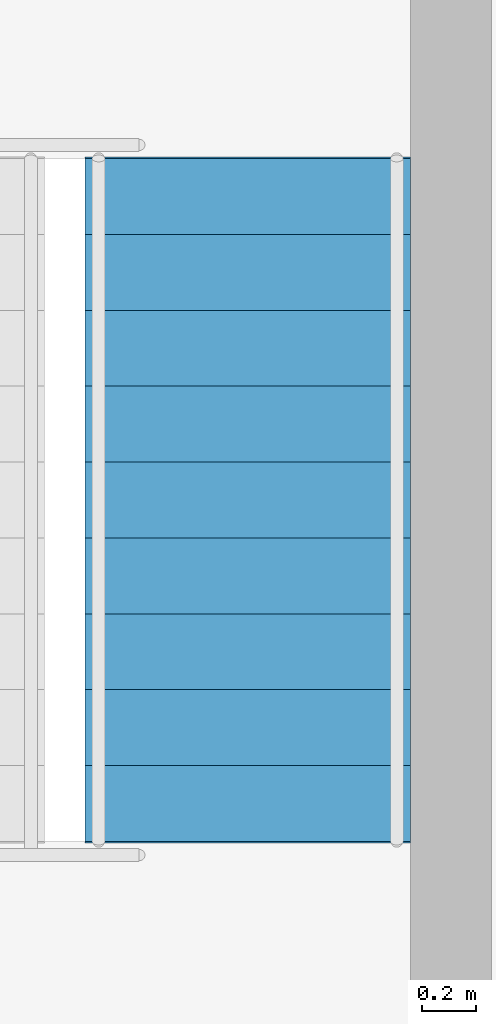
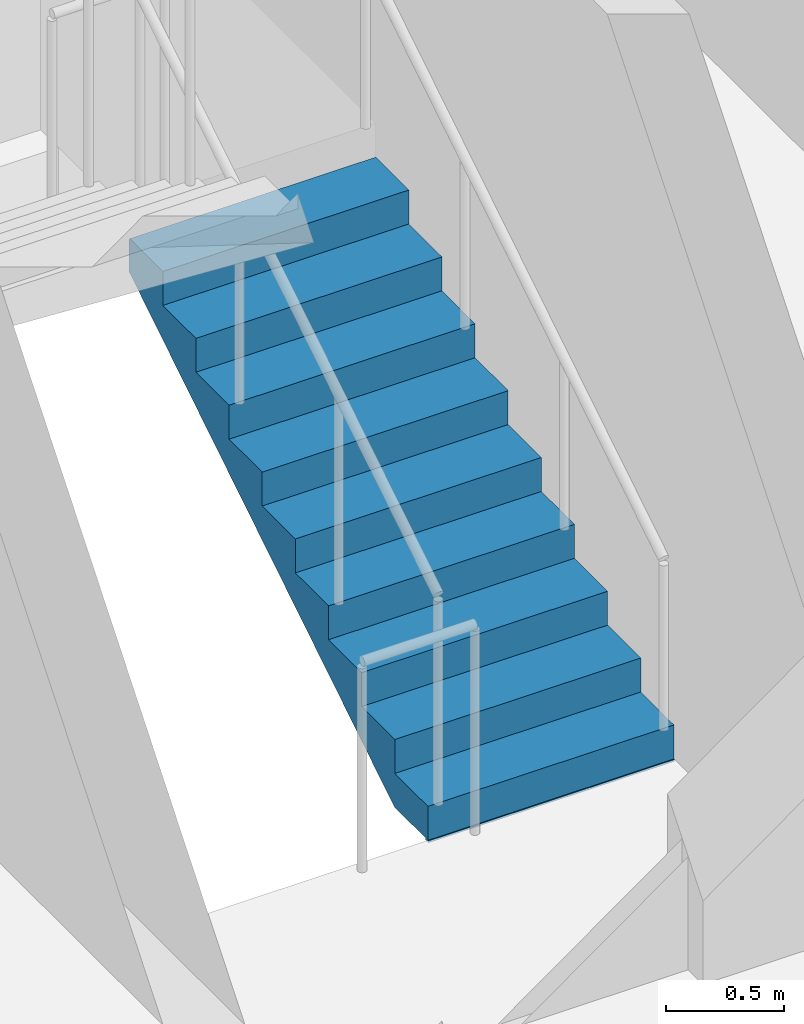
# One storey, part 14 of 17: 1 stair flight, 1 element without a shape of its own.
"""IFC4 building model written with IfcOpenShell, lengths in metres."""

from ifc_helpers import new_model, si_unit, direction, frame, origin, place, context, subcontext, project, spatial, polyline, outline, extrude, material, type_object, element, aggregate, save


model = new_model("IFC4")

# Units and contexts
model_context = context("Model", 3, precision=1e-05, world=origin(), true_north=direction((0.0, 1.0)))
body_context = subcontext(model_context, "Body", "Model", "MODEL_VIEW")
ifc_project = project(units=[si_unit("LENGTHUNIT", "METRE"), si_unit("AREAUNIT", "SQUARE_METRE"), si_unit("VOLUMEUNIT", "CUBIC_METRE"), si_unit("PLANEANGLEUNIT", "RADIAN"), si_unit("MASSUNIT", "GRAM", prefix="KILO")], contexts=[model_context])

# Site, building, storey
site_placement = place(None, origin())
site = spatial("IfcSite", under=ifc_project, at=site_placement, CompositionType="ELEMENT")
building_placement = place(site_placement, origin())
building = spatial("IfcBuilding", under=site, at=building_placement, Name="Plateau Cross Towers", CompositionType="ELEMENT")
storey_placement = place(building_placement, frame((0.0, 0.0, 222.39990234375)))
storey = spatial("IfcBuildingStorey", under=building, at=storey_placement, Name="L58", CompositionType="ELEMENT", Elevation=222.39990234375)

# Stair, stair flight
ifc_material = material(Name="Concrete C40/50", Category="concrete")
stair_type = type_object("IfcStairType", Name="ST-TWR", PredefinedType="HALF_TURN_STAIR", material=ifc_material)
stair_placement = place(storey_placement, origin())
stair = element("IfcStair", 1, at=stair_placement, inside=storey, type_object=stair_type, Name="L58 Protected Exit Stair N", PredefinedType="HALF_TURN_STAIR")
stair_flight_type = type_object("IfcStairFlightType", Name="SFL-RC", PredefinedType="STRAIGHT", material=ifc_material)
stair_flight_placement = place(storey_placement, frame((9.675048828125, 46.5, 0.0), z_axis=(0.0, 0.0, 1.0), x_axis=(0.0, 1.0, 0.0)))
stair_flight = element("IfcStairFlight", 2, at=stair_flight_placement, type_object=stair_flight_type, Name="ES-N flight 1", NumberOfRisers=10, NumberOfTreads=9, PredefinedType="STRAIGHT", RiserHeight=0.175, TreadLength=0.28, context=body_context, shape_type="SweptSolid", body=[
    extrude(outline(polyline([(-0.0048828125, -0.010009765625), (-0.0048828125, 0.0), (0.0, 0.0), (0.0, 0.175048828125), (0.280029296875, 0.175048828125), (0.280029296875, 0.35009765625), (0.56005859375, 0.35009765625), (0.56005859375, 0.52490234375), (0.840087890625, 0.52490234375), (0.840087890625, 0.699951171875), (1.1201171875, 0.699951171875), (1.1201171875, 0.875), (1.39990234375, 0.875), (1.39990234375, 1.050048828125), (1.679931640625, 1.050048828125), (1.679931640625, 1.22509765625), (1.9599609375, 1.22509765625), (1.9599609375, 1.39990234375), (2.239990234375, 1.39990234375), (2.239990234375, 1.574951171875), (2.52001953125, 1.574951171875), (2.52490234375, 1.56494140625), (2.52490234375, 1.398193359375), (2.52001953125, 1.398193359375), (0.28271484375, 0.0), (0.02001953125, 0.0), (0.02001953125, -0.010009765625), (-0.0048828125, -0.010009765625)])), frame((0.0, 0.60009765625, 0.0), z_axis=(0.0, -1.0, 0.0), x_axis=(1.0, 0.0, 0.0)), (0.0, 0.0, 1.0), 1.199951171875),
])
aggregate(stair, [stair_flight])

save(model, "model.ifc")
